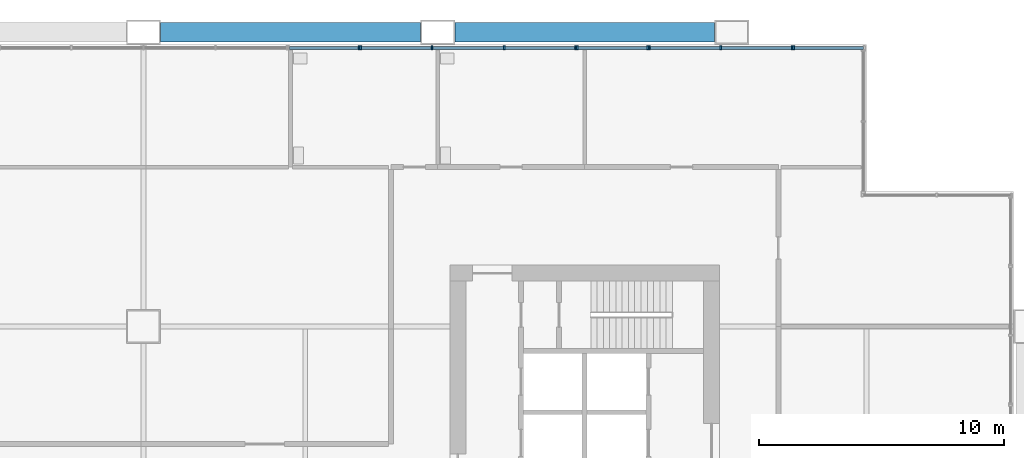
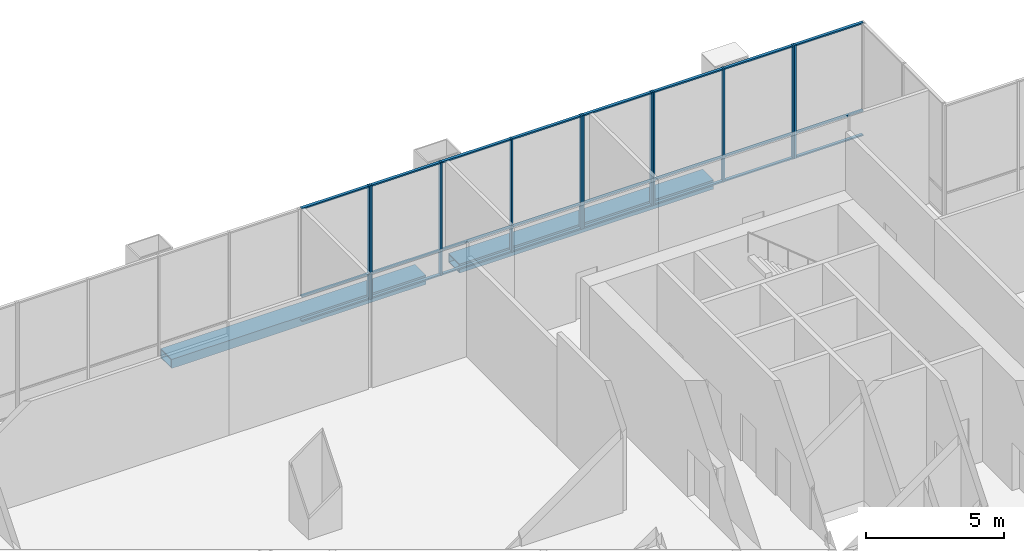
# One storey, part 9 of 20: 35 members, 2 beams, 5 elements without a shape of their own.
"""IFC4 building model written with IfcOpenShell, lengths in metres."""

from ifc_helpers import new_model, si_unit, direction, frame, origin, origin_2d, place, context, subcontext, project, spatial, rectangle, hollow_rectangle, extrude, material, material_profile, profile_set, type_object, element, aggregate, save


model = new_model("IFC4")

# Units and contexts
model_context = context("Model", 3, precision=1e-05, world=origin(), true_north=direction((0.0, 1.0)))
body_context = subcontext(model_context, "Body", "Model", "MODEL_VIEW")
ifc_project = project(units=[si_unit("LENGTHUNIT", "METRE"), si_unit("AREAUNIT", "SQUARE_METRE"), si_unit("VOLUMEUNIT", "CUBIC_METRE"), si_unit("PLANEANGLEUNIT", "RADIAN"), si_unit("MASSUNIT", "GRAM", prefix="KILO")], contexts=[model_context])

# Site, building, storey
site_placement = place(None, origin())
site = spatial("IfcSite", under=ifc_project, at=site_placement, CompositionType="ELEMENT")
building_placement = place(site_placement, origin())
building = spatial("IfcBuilding", under=site, at=building_placement, Name="Kitamizu Gate Tower and Museum", CompositionType="ELEMENT")
storey_placement = place(building_placement, frame((0.0, 0.0, 148.35009765625)))
storey = spatial("IfcBuildingStorey", under=building, at=storey_placement, Name="L39", CompositionType="ELEMENT", Elevation=148.35009765625)

# Beams
ifc_material_1 = material(Name="Steel SM490A bronze coated", Category="steel")
ifc_material_profile_1 = material_profile(ifc_material_1, hollow_rectangle(XDim=0.800048828125, YDim=0.39990234375, WallThickness=0.0400390625, at=origin_2d()), Name="BOX 800x400x40")
ifc_profile_set_1 = profile_set([ifc_material_profile_1], Name="Steel SM490A bronze coated")
beam_type = type_object("IfcBeamType", Name="Exoskeleton spandrel beam SB1 BOX 800x400x40", PredefinedType="SPANDREL", material=ifc_profile_set_1)
for number, where, z_axis, x_axis, name in (
    (1, (36.699951171875, 48.0, -0.2001953125), (1.0, 0.0, 0.0), (0.0, 1.0, 0.0), "Exoskeleton spandrel beam north 36 L39"),
    (2, (48.699951171875, 48.0, -0.2001953125), (1.0, 0.0, 0.0), (0.0, 1.0, 0.0), "Exoskeleton spandrel beam north 48 L39"),
):
    element("IfcBeam", number, at=place(storey_placement, frame(where, z_axis=z_axis, x_axis=x_axis)), inside=storey, type_object=beam_type, Name=name, PredefinedType="SPANDREL", context=body_context, shape_type="SweptSolid", body=[
        extrude(hollow_rectangle(XDim=0.800048828125, YDim=0.39990234375, WallThickness=0.0400390625, at=origin_2d()), origin(), (0.0, 0.0, 1.0), 10.60009765625),
    ])

# Curtain wall, member
ifc_material_2 = material(Name="Bronze anodised aluminium frame, tinted triple glazing", Category="aluminium")
curtain_wall_type_1 = type_object("IfcCurtainWallType", Name="CURTAIN WALL TYPE B SKY LOBBY", PredefinedType="NOTDEFINED", material=ifc_material_2)
curtain_wall_1_placement = place(storey_placement, origin())
curtain_wall_1 = element("IfcCurtainWall", 3, at=curtain_wall_1_placement, inside=storey, type_object=curtain_wall_type_1, Name="Curtain wall CW-B north L39 part 7", PredefinedType="NOTDEFINED")
ifc_material_3 = material(Name="Bronze anodised aluminium", Category="aluminium")
ifc_material_profile_2 = material_profile(ifc_material_3, rectangle(XDim=0.070068359375, YDim=0.14990234375, at=origin_2d()), Name="AL 70X150")
ifc_profile_set_2 = profile_set([ifc_material_profile_2], Name="Bronze anodised aluminium")
member_type_1 = type_object("IfcMemberType", Name="MULLION 70 X 150 TYPE B", PredefinedType="MULLION", material=ifc_profile_set_2)
member_1_placement = place(storey_placement, frame((44.797119140625, 47.364990234375, 0.0), z_axis=(0.0, 0.0, 1.0), x_axis=(1.0, 0.0, 0.0)))
member_1 = element("IfcMember", 4, at=member_1_placement, type_object=member_type_1, Name="CW-B mullion 2", PredefinedType="MULLION", context=body_context, shape_type="SweptSolid", body=[
    extrude(rectangle(XDim=0.070068359375, YDim=0.14990234375, at=origin_2d()), origin(), (0.0, 0.0, 1.0), 5.0),
])

# Curtain wall, members
ifc_material_4 = material(Name="Bronze anodised aluminium frame, insulated panels", Category="aluminium")
curtain_wall_type_2 = type_object("IfcCurtainWallType", Name="CURTAIN WALL TYPE B SKY LOBBY INSULATED", PredefinedType="NOTDEFINED", material=ifc_material_4)
curtain_wall_2_placement = place(storey_placement, origin())
curtain_wall_2 = element("IfcCurtainWall", 5, at=curtain_wall_2_placement, inside=storey, type_object=curtain_wall_type_2, Name="Curtain wall CW-BI north L39 part 8", PredefinedType="NOTDEFINED")
member_2_placement = place(storey_placement, frame((44.866943359375, 47.364990234375, 0.0), z_axis=(0.0, 0.0, 1.0), x_axis=(1.0, 0.0, 0.0)))
member_2 = element("IfcMember", 6, at=member_2_placement, type_object=member_type_1, Name="CW-BI mullion 1", PredefinedType="MULLION", context=body_context, shape_type="SweptSolid", body=[
    extrude(rectangle(XDim=0.070068359375, YDim=0.14990234375, at=origin_2d()), origin(), (0.0, 0.0, 1.0), 5.0),
])
member_3_placement = place(storey_placement, frame((47.77587890625, 47.364990234375, 0.0), z_axis=(0.0, 0.0, 1.0), x_axis=(1.0, 0.0, 0.0)))
member_3 = element("IfcMember", 7, at=member_3_placement, type_object=member_type_1, Name="CW-BI mullion 2", PredefinedType="MULLION", context=body_context, shape_type="SweptSolid", body=[
    extrude(rectangle(XDim=0.070068359375, YDim=0.14990234375, at=origin_2d()), origin(), (0.0, 0.0, 1.0), 5.0),
])
member_4_placement = place(storey_placement, frame((50.719970703125, 47.364990234375, 0.0), z_axis=(0.0, 0.0, 1.0), x_axis=(1.0, 0.0, 0.0)))
member_4 = element("IfcMember", 8, at=member_4_placement, type_object=member_type_1, Name="CW-BI mullion 3", PredefinedType="MULLION", context=body_context, shape_type="SweptSolid", body=[
    extrude(rectangle(XDim=0.070068359375, YDim=0.14990234375, at=origin_2d()), origin(), (0.0, 0.0, 1.0), 5.0),
])
member_5_placement = place(storey_placement, frame((53.62890625, 47.364990234375, 0.0), z_axis=(0.0, 0.0, 1.0), x_axis=(1.0, 0.0, 0.0)))
member_5 = element("IfcMember", 9, at=member_5_placement, type_object=member_type_1, Name="CW-BI mullion 4", PredefinedType="MULLION", context=body_context, shape_type="SweptSolid", body=[
    extrude(rectangle(XDim=0.070068359375, YDim=0.14990234375, at=origin_2d()), origin(), (0.0, 0.0, 1.0), 5.0),
])

curtain_wall_3_placement = place(storey_placement, origin())
curtain_wall_3 = element("IfcCurtainWall", 10, at=curtain_wall_3_placement, inside=storey, type_object=curtain_wall_type_1, Name="Curtain wall CW-B north L39 part 9", PredefinedType="NOTDEFINED")
member_6_placement = place(storey_placement, frame((53.698974609375, 47.364990234375, 0.0), z_axis=(0.0, 0.0, 1.0), x_axis=(1.0, 0.0, 0.0)))
member_6 = element("IfcMember", 11, at=member_6_placement, type_object=member_type_1, Name="CW-B mullion 1", PredefinedType="MULLION", context=body_context, shape_type="SweptSolid", body=[
    extrude(rectangle(XDim=0.070068359375, YDim=0.14990234375, at=origin_2d()), origin(), (0.0, 0.0, 1.0), 5.0),
])
member_7_placement = place(storey_placement, frame((56.572998046875, 47.364990234375, 0.0), z_axis=(0.0, 0.0, 1.0), x_axis=(1.0, 0.0, 0.0)))
member_7 = element("IfcMember", 12, at=member_7_placement, type_object=member_type_1, Name="CW-B mullion 2", PredefinedType="MULLION", context=body_context, shape_type="SweptSolid", body=[
    extrude(rectangle(XDim=0.070068359375, YDim=0.14990234375, at=origin_2d()), origin(), (0.0, 0.0, 1.0), 5.0),
])

curtain_wall_4_placement = place(storey_placement, origin())
curtain_wall_4 = element("IfcCurtainWall", 13, at=curtain_wall_4_placement, inside=storey, type_object=curtain_wall_type_2, Name="Curtain wall CW-BI north L39 part 10", PredefinedType="NOTDEFINED")
member_8_placement = place(storey_placement, frame((56.64306640625, 47.364990234375, 0.0), z_axis=(0.0, 0.0, 1.0), x_axis=(1.0, 0.0, 0.0)))
member_8 = element("IfcMember", 14, at=member_8_placement, type_object=member_type_1, Name="CW-BI mullion 1", PredefinedType="MULLION", context=body_context, shape_type="SweptSolid", body=[
    extrude(rectangle(XDim=0.070068359375, YDim=0.14990234375, at=origin_2d()), origin(), (0.0, 0.0, 1.0), 5.0),
])
member_9_placement = place(storey_placement, frame((59.552001953125, 47.364990234375, 0.0), z_axis=(0.0, 0.0, 1.0), x_axis=(1.0, 0.0, 0.0)))
member_9 = element("IfcMember", 15, at=member_9_placement, type_object=member_type_1, Name="CW-BI mullion 2", PredefinedType="MULLION", context=body_context, shape_type="SweptSolid", body=[
    extrude(rectangle(XDim=0.070068359375, YDim=0.14990234375, at=origin_2d()), origin(), (0.0, 0.0, 1.0), 5.0),
])
member_10_placement = place(storey_placement, frame((62.4609375, 47.364990234375, 0.0), z_axis=(0.0, 0.0, 1.0), x_axis=(1.0, 0.0, 0.0)))
member_10 = element("IfcMember", 16, at=member_10_placement, type_object=member_type_1, Name="CW-BI mullion 3", PredefinedType="MULLION", context=body_context, shape_type="SweptSolid", body=[
    extrude(rectangle(XDim=0.070068359375, YDim=0.14990234375, at=origin_2d()), origin(), (0.0, 0.0, 1.0), 5.0),
])

# Curtain wall, member
curtain_wall_5_placement = place(storey_placement, origin())
curtain_wall_5 = element("IfcCurtainWall", 17, at=curtain_wall_5_placement, inside=storey, type_object=curtain_wall_type_1, Name="Curtain wall CW-B north L39 part 11", PredefinedType="NOTDEFINED")
member_11_placement = place(storey_placement, frame((62.531005859375, 47.364990234375, 0.0), z_axis=(0.0, 0.0, 1.0), x_axis=(1.0, 0.0, 0.0)))
member_11 = element("IfcMember", 18, at=member_11_placement, type_object=member_type_1, Name="CW-B mullion 1", PredefinedType="MULLION", context=body_context, shape_type="SweptSolid", body=[
    extrude(rectangle(XDim=0.070068359375, YDim=0.14990234375, at=origin_2d()), origin(), (0.0, 0.0, 1.0), 5.0),
])

# Member
ifc_material_5 = material(Name="Bronze anodised aluminium", Category="aluminium")
ifc_material_profile_3 = material_profile(ifc_material_5, rectangle(XDim=0.1201171875, YDim=0.06005859375, at=origin_2d()), Name="AL 60X120")
ifc_profile_set_3 = profile_set([ifc_material_profile_3], Name="Bronze anodised aluminium")
member_type_2 = type_object("IfcMemberType", Name="TRANSOM 60 X 120 TYPE B", PredefinedType="USERDEFINED", material=ifc_profile_set_3)
member_12_placement = place(storey_placement, frame((41.9580078125, 47.364990234375, 0.02978515625), z_axis=(1.0, 0.0, 0.0), x_axis=(0.0, 1.0, 0.0)))
member_12 = element("IfcMember", 19, at=member_12_placement, type_object=member_type_2, Name="CW-B transom 1.1", ObjectType="TRANSOM", PredefinedType="USERDEFINED", context=body_context, shape_type="SweptSolid", body=[
    extrude(rectangle(XDim=0.1201171875, YDim=0.06005859375, at=origin_2d()), origin(), (0.0, 0.0, 1.0), 2.803955078125),
])

member_13_placement = place(storey_placement, frame((41.9580078125, 47.364990234375, 1.099853515625), z_axis=(1.0, 0.0, 0.0), x_axis=(0.0, 1.0, 0.0)))
member_13 = element("IfcMember", 20, at=member_13_placement, type_object=member_type_2, Name="CW-B transom 1.2", ObjectType="TRANSOM", PredefinedType="USERDEFINED", context=body_context, shape_type="SweptSolid", body=[
    extrude(rectangle(XDim=0.1201171875, YDim=0.06005859375, at=origin_2d()), origin(), (0.0, 0.0, 1.0), 2.803955078125),
])

member_14_placement = place(storey_placement, frame((41.9580078125, 47.364990234375, 4.969970703125), z_axis=(1.0, 0.0, 0.0), x_axis=(0.0, 1.0, 0.0)))
member_14 = element("IfcMember", 21, at=member_14_placement, type_object=member_type_2, Name="CW-B transom 1.3", ObjectType="TRANSOM", PredefinedType="USERDEFINED", context=body_context, shape_type="SweptSolid", body=[
    extrude(rectangle(XDim=0.1201171875, YDim=0.06005859375, at=origin_2d()), origin(), (0.0, 0.0, 1.0), 2.803955078125),
])

aggregate(curtain_wall_1, [member_1, member_12, member_13, member_14])

member_15_placement = place(storey_placement, frame((44.902099609375, 47.364990234375, 0.02978515625), z_axis=(1.0, 0.0, 0.0), x_axis=(0.0, 1.0, 0.0)))
member_15 = element("IfcMember", 22, at=member_15_placement, type_object=member_type_2, Name="CW-BI transom 1.1", ObjectType="TRANSOM", PredefinedType="USERDEFINED", context=body_context, shape_type="SweptSolid", body=[
    extrude(rectangle(XDim=0.1201171875, YDim=0.06005859375, at=origin_2d()), origin(), (0.0, 0.0, 1.0), 2.8388671875),
])

member_16_placement = place(storey_placement, frame((44.902099609375, 47.364990234375, 1.099853515625), z_axis=(1.0, 0.0, 0.0), x_axis=(0.0, 1.0, 0.0)))
member_16 = element("IfcMember", 23, at=member_16_placement, type_object=member_type_2, Name="CW-BI transom 1.2", ObjectType="TRANSOM", PredefinedType="USERDEFINED", context=body_context, shape_type="SweptSolid", body=[
    extrude(rectangle(XDim=0.1201171875, YDim=0.06005859375, at=origin_2d()), origin(), (0.0, 0.0, 1.0), 2.8388671875),
])

member_17_placement = place(storey_placement, frame((44.902099609375, 47.364990234375, 4.969970703125), z_axis=(1.0, 0.0, 0.0), x_axis=(0.0, 1.0, 0.0)))
member_17 = element("IfcMember", 24, at=member_17_placement, type_object=member_type_2, Name="CW-BI transom 1.3", ObjectType="TRANSOM", PredefinedType="USERDEFINED", context=body_context, shape_type="SweptSolid", body=[
    extrude(rectangle(XDim=0.1201171875, YDim=0.06005859375, at=origin_2d()), origin(), (0.0, 0.0, 1.0), 2.8388671875),
])

member_18_placement = place(storey_placement, frame((47.81103515625, 47.364990234375, 0.02978515625), z_axis=(1.0, 0.0, 0.0), x_axis=(0.0, 1.0, 0.0)))
member_18 = element("IfcMember", 25, at=member_18_placement, type_object=member_type_2, Name="CW-BI transom 2.1", ObjectType="TRANSOM", PredefinedType="USERDEFINED", context=body_context, shape_type="SweptSolid", body=[
    extrude(rectangle(XDim=0.1201171875, YDim=0.06005859375, at=origin_2d()), origin(), (0.0, 0.0, 1.0), 2.8740234375),
])

member_19_placement = place(storey_placement, frame((47.81103515625, 47.364990234375, 1.099853515625), z_axis=(1.0, 0.0, 0.0), x_axis=(0.0, 1.0, 0.0)))
member_19 = element("IfcMember", 26, at=member_19_placement, type_object=member_type_2, Name="CW-BI transom 2.2", ObjectType="TRANSOM", PredefinedType="USERDEFINED", context=body_context, shape_type="SweptSolid", body=[
    extrude(rectangle(XDim=0.1201171875, YDim=0.06005859375, at=origin_2d()), origin(), (0.0, 0.0, 1.0), 2.8740234375),
])

member_20_placement = place(storey_placement, frame((47.81103515625, 47.364990234375, 4.969970703125), z_axis=(1.0, 0.0, 0.0), x_axis=(0.0, 1.0, 0.0)))
member_20 = element("IfcMember", 27, at=member_20_placement, type_object=member_type_2, Name="CW-BI transom 2.3", ObjectType="TRANSOM", PredefinedType="USERDEFINED", context=body_context, shape_type="SweptSolid", body=[
    extrude(rectangle(XDim=0.1201171875, YDim=0.06005859375, at=origin_2d()), origin(), (0.0, 0.0, 1.0), 2.8740234375),
])

member_21_placement = place(storey_placement, frame((50.7548828125, 47.364990234375, 0.02978515625), z_axis=(1.0, 0.0, 0.0), x_axis=(0.0, 1.0, 0.0)))
member_21 = element("IfcMember", 28, at=member_21_placement, type_object=member_type_2, Name="CW-BI transom 3.1", ObjectType="TRANSOM", PredefinedType="USERDEFINED", context=body_context, shape_type="SweptSolid", body=[
    extrude(rectangle(XDim=0.1201171875, YDim=0.06005859375, at=origin_2d()), origin(), (0.0, 0.0, 1.0), 2.839111328125),
])

member_22_placement = place(storey_placement, frame((50.7548828125, 47.364990234375, 1.099853515625), z_axis=(1.0, 0.0, 0.0), x_axis=(0.0, 1.0, 0.0)))
member_22 = element("IfcMember", 29, at=member_22_placement, type_object=member_type_2, Name="CW-BI transom 3.2", ObjectType="TRANSOM", PredefinedType="USERDEFINED", context=body_context, shape_type="SweptSolid", body=[
    extrude(rectangle(XDim=0.1201171875, YDim=0.06005859375, at=origin_2d()), origin(), (0.0, 0.0, 1.0), 2.839111328125),
])

member_23_placement = place(storey_placement, frame((50.7548828125, 47.364990234375, 4.969970703125), z_axis=(1.0, 0.0, 0.0), x_axis=(0.0, 1.0, 0.0)))
member_23 = element("IfcMember", 30, at=member_23_placement, type_object=member_type_2, Name="CW-BI transom 3.3", ObjectType="TRANSOM", PredefinedType="USERDEFINED", context=body_context, shape_type="SweptSolid", body=[
    extrude(rectangle(XDim=0.1201171875, YDim=0.06005859375, at=origin_2d()), origin(), (0.0, 0.0, 1.0), 2.839111328125),
])

aggregate(curtain_wall_2, [member_2, member_3, member_4, member_5, member_15, member_16, member_17, member_18, member_19, member_20, member_21, member_22, member_23])

member_24_placement = place(storey_placement, frame((53.73388671875, 47.364990234375, 0.02978515625), z_axis=(1.0, 0.0, 0.0), x_axis=(0.0, 1.0, 0.0)))
member_24 = element("IfcMember", 31, at=member_24_placement, type_object=member_type_2, Name="CW-B transom 1.1", ObjectType="TRANSOM", PredefinedType="USERDEFINED", context=body_context, shape_type="SweptSolid", body=[
    extrude(rectangle(XDim=0.1201171875, YDim=0.06005859375, at=origin_2d()), origin(), (0.0, 0.0, 1.0), 2.80419921875),
])

member_25_placement = place(storey_placement, frame((53.73388671875, 47.364990234375, 1.099853515625), z_axis=(1.0, 0.0, 0.0), x_axis=(0.0, 1.0, 0.0)))
member_25 = element("IfcMember", 32, at=member_25_placement, type_object=member_type_2, Name="CW-B transom 1.2", ObjectType="TRANSOM", PredefinedType="USERDEFINED", context=body_context, shape_type="SweptSolid", body=[
    extrude(rectangle(XDim=0.1201171875, YDim=0.06005859375, at=origin_2d()), origin(), (0.0, 0.0, 1.0), 2.80419921875),
])

member_26_placement = place(storey_placement, frame((53.73388671875, 47.364990234375, 4.969970703125), z_axis=(1.0, 0.0, 0.0), x_axis=(0.0, 1.0, 0.0)))
member_26 = element("IfcMember", 33, at=member_26_placement, type_object=member_type_2, Name="CW-B transom 1.3", ObjectType="TRANSOM", PredefinedType="USERDEFINED", context=body_context, shape_type="SweptSolid", body=[
    extrude(rectangle(XDim=0.1201171875, YDim=0.06005859375, at=origin_2d()), origin(), (0.0, 0.0, 1.0), 2.80419921875),
])

aggregate(curtain_wall_3, [member_6, member_7, member_24, member_25, member_26])

member_27_placement = place(storey_placement, frame((56.677978515625, 47.364990234375, 0.02978515625), z_axis=(1.0, 0.0, 0.0), x_axis=(0.0, 1.0, 0.0)))
member_27 = element("IfcMember", 34, at=member_27_placement, type_object=member_type_2, Name="CW-BI transom 1.1", ObjectType="TRANSOM", PredefinedType="USERDEFINED", context=body_context, shape_type="SweptSolid", body=[
    extrude(rectangle(XDim=0.1201171875, YDim=0.06005859375, at=origin_2d()), origin(), (0.0, 0.0, 1.0), 2.839111328125),
])

member_28_placement = place(storey_placement, frame((56.677978515625, 47.364990234375, 1.099853515625), z_axis=(1.0, 0.0, 0.0), x_axis=(0.0, 1.0, 0.0)))
member_28 = element("IfcMember", 35, at=member_28_placement, type_object=member_type_2, Name="CW-BI transom 1.2", ObjectType="TRANSOM", PredefinedType="USERDEFINED", context=body_context, shape_type="SweptSolid", body=[
    extrude(rectangle(XDim=0.1201171875, YDim=0.06005859375, at=origin_2d()), origin(), (0.0, 0.0, 1.0), 2.839111328125),
])

member_29_placement = place(storey_placement, frame((56.677978515625, 47.364990234375, 4.969970703125), z_axis=(1.0, 0.0, 0.0), x_axis=(0.0, 1.0, 0.0)))
member_29 = element("IfcMember", 36, at=member_29_placement, type_object=member_type_2, Name="CW-BI transom 1.3", ObjectType="TRANSOM", PredefinedType="USERDEFINED", context=body_context, shape_type="SweptSolid", body=[
    extrude(rectangle(XDim=0.1201171875, YDim=0.06005859375, at=origin_2d()), origin(), (0.0, 0.0, 1.0), 2.839111328125),
])

member_30_placement = place(storey_placement, frame((59.5869140625, 47.364990234375, 0.02978515625), z_axis=(1.0, 0.0, 0.0), x_axis=(0.0, 1.0, 0.0)))
member_30 = element("IfcMember", 37, at=member_30_placement, type_object=member_type_2, Name="CW-BI transom 2.1", ObjectType="TRANSOM", PredefinedType="USERDEFINED", context=body_context, shape_type="SweptSolid", body=[
    extrude(rectangle(XDim=0.1201171875, YDim=0.06005859375, at=origin_2d()), origin(), (0.0, 0.0, 1.0), 2.839111328125),
])

member_31_placement = place(storey_placement, frame((59.5869140625, 47.364990234375, 1.099853515625), z_axis=(1.0, 0.0, 0.0), x_axis=(0.0, 1.0, 0.0)))
member_31 = element("IfcMember", 38, at=member_31_placement, type_object=member_type_2, Name="CW-BI transom 2.2", ObjectType="TRANSOM", PredefinedType="USERDEFINED", context=body_context, shape_type="SweptSolid", body=[
    extrude(rectangle(XDim=0.1201171875, YDim=0.06005859375, at=origin_2d()), origin(), (0.0, 0.0, 1.0), 2.839111328125),
])

member_32_placement = place(storey_placement, frame((59.5869140625, 47.364990234375, 4.969970703125), z_axis=(1.0, 0.0, 0.0), x_axis=(0.0, 1.0, 0.0)))
member_32 = element("IfcMember", 39, at=member_32_placement, type_object=member_type_2, Name="CW-BI transom 2.3", ObjectType="TRANSOM", PredefinedType="USERDEFINED", context=body_context, shape_type="SweptSolid", body=[
    extrude(rectangle(XDim=0.1201171875, YDim=0.06005859375, at=origin_2d()), origin(), (0.0, 0.0, 1.0), 2.839111328125),
])

aggregate(curtain_wall_4, [member_8, member_9, member_10, member_27, member_28, member_29, member_30, member_31, member_32])

member_33_placement = place(storey_placement, frame((62.56591796875, 47.364990234375, 0.02978515625), z_axis=(1.0, 0.0, 0.0), x_axis=(0.0, 1.0, 0.0)))
member_33 = element("IfcMember", 40, at=member_33_placement, type_object=member_type_2, Name="CW-B transom 1.1", ObjectType="TRANSOM", PredefinedType="USERDEFINED", context=body_context, shape_type="SweptSolid", body=[
    extrude(rectangle(XDim=0.1201171875, YDim=0.06005859375, at=origin_2d()), origin(), (0.0, 0.0, 1.0), 2.80419921875),
])

member_34_placement = place(storey_placement, frame((62.56591796875, 47.364990234375, 1.099853515625), z_axis=(1.0, 0.0, 0.0), x_axis=(0.0, 1.0, 0.0)))
member_34 = element("IfcMember", 41, at=member_34_placement, type_object=member_type_2, Name="CW-B transom 1.2", ObjectType="TRANSOM", PredefinedType="USERDEFINED", context=body_context, shape_type="SweptSolid", body=[
    extrude(rectangle(XDim=0.1201171875, YDim=0.06005859375, at=origin_2d()), origin(), (0.0, 0.0, 1.0), 2.80419921875),
])

member_35_placement = place(storey_placement, frame((62.56591796875, 47.364990234375, 4.969970703125), z_axis=(1.0, 0.0, 0.0), x_axis=(0.0, 1.0, 0.0)))
member_35 = element("IfcMember", 42, at=member_35_placement, type_object=member_type_2, Name="CW-B transom 1.3", ObjectType="TRANSOM", PredefinedType="USERDEFINED", context=body_context, shape_type="SweptSolid", body=[
    extrude(rectangle(XDim=0.1201171875, YDim=0.06005859375, at=origin_2d()), origin(), (0.0, 0.0, 1.0), 2.80419921875),
])

aggregate(curtain_wall_5, [member_11, member_33, member_34, member_35])

save(model, "model.ifc")
